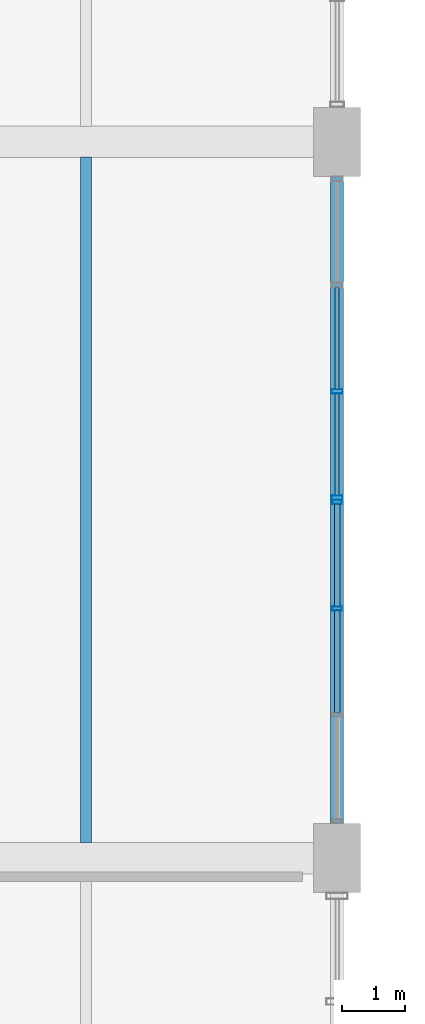
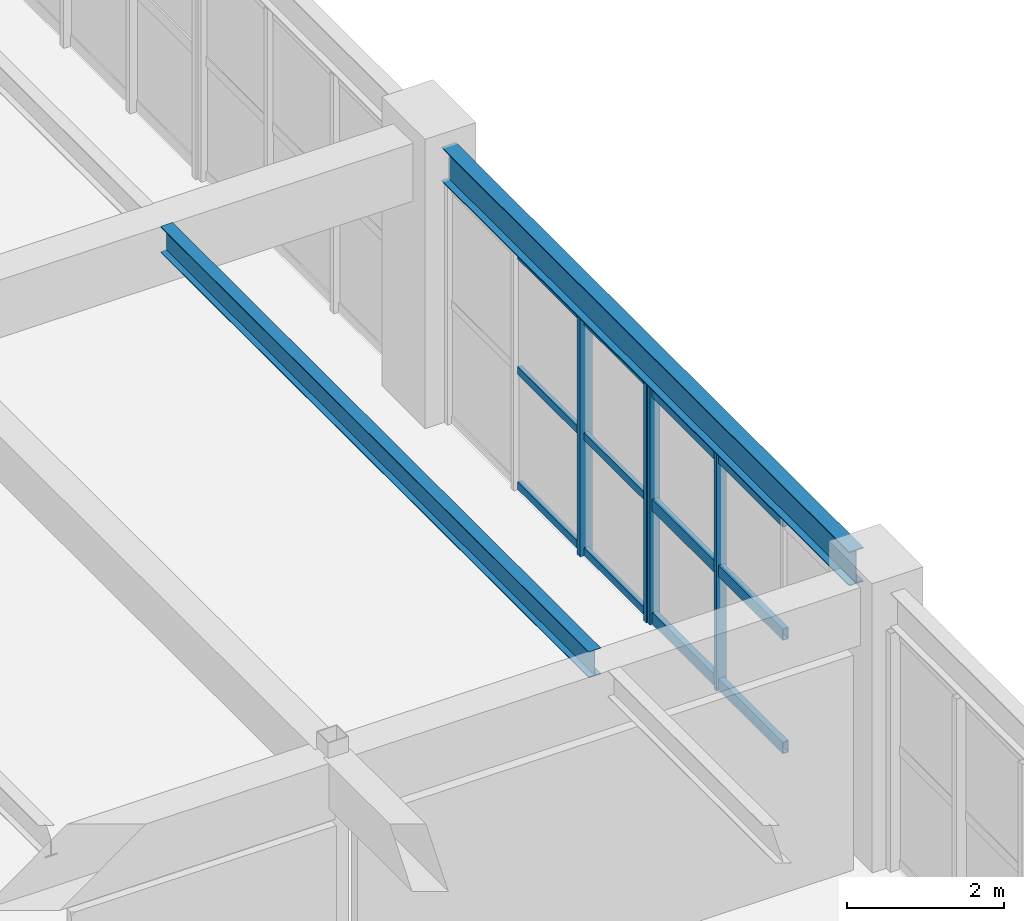
# One storey, part 12 of 80: 16 members, 2 beams, 2 elements without a shape of their own.
"""IFC4 building model written with IfcOpenShell, lengths in metres."""

from ifc_helpers import new_model, si_unit, direction, frame, origin, origin_2d, place, context, subcontext, project, spatial, hollow_rectangle, i_section, extrude, material, layer, layer_set, material_profile, profile_set, type_object, element, aggregate, save


model = new_model("IFC4")

# Units and contexts
model_context = context("Model", 3, precision=1e-05, world=origin(), true_north=direction((0.0, 1.0)))
body_context = subcontext(model_context, "Body", "Model", "MODEL_VIEW")
ifc_project = project(units=[si_unit("LENGTHUNIT", "METRE"), si_unit("AREAUNIT", "SQUARE_METRE"), si_unit("VOLUMEUNIT", "CUBIC_METRE"), si_unit("PLANEANGLEUNIT", "RADIAN"), si_unit("MASSUNIT", "GRAM", prefix="KILO"), si_unit("POWERUNIT", "WATT"), si_unit("THERMODYNAMICTEMPERATUREUNIT", "KELVIN")], contexts=[model_context])

# Site, building, storey
site_placement = place(None, origin())
site = spatial("IfcSite", under=ifc_project, at=site_placement, CompositionType="ELEMENT")
building_placement = place(site_placement, origin())
building = spatial("IfcBuilding", under=site, at=building_placement, Name="Kelmbourne Parkland Aquatics Centre", CompositionType="ELEMENT")
storey_placement = place(building_placement, frame((0.0, 0.0, 10.199951171875)))
storey = spatial("IfcBuildingStorey", under=building, at=storey_placement, Name="L02", CompositionType="ELEMENT", Elevation=10.199951171875)

# Beams
ifc_material_1 = material(Name="Structural steel AS/NZS 3679.1 Grade 300", Category="steel")
ifc_material_profile_1 = material_profile(ifc_material_1, i_section(OverallWidth=0.177978515625, OverallDepth=0.406005859375, WebThickness=0.0078125, FlangeThickness=0.0126953125, at=origin_2d()), Name="410UB59.7")
ifc_profile_set_1 = profile_set([ifc_material_profile_1], Name="Structural steel AS/NZS 3679.1 Grade 300")
beam_type_1 = type_object("IfcBeamType", Name="BM-J01", PredefinedType="JOIST", material=ifc_profile_set_1)
beam_1_placement = place(storey_placement, frame((36.0, 23.842041015625, 4.05712890625), z_axis=(0.0, 1.0, 0.0), x_axis=(-1.0, 0.0, 0.0)))
element("IfcBeam", 1, at=beam_1_placement, inside=storey, type_object=beam_type_1, Name="Secondary floor joist E-F/04-05 #1 (L03)", PredefinedType="JOIST", context=body_context, shape_type="SweptSolid", body=[
    extrude(i_section(OverallWidth=0.177978515625, OverallDepth=0.406005859375, WebThickness=0.0078125, FlangeThickness=0.0126953125, at=origin_2d()), origin(), (0.0, 0.0, 1.0), 10.916015625),
])
ifc_material_profile_2 = material_profile(ifc_material_1, i_section(OverallWidth=0.208984375, OverallDepth=0.532958984375, WebThickness=0.01025390625, FlangeThickness=0.015625, at=origin_2d()), Name="530UB92.4")
ifc_profile_set_2 = profile_set([ifc_material_profile_2], Name="Structural steel AS/NZS 3679.1 Grade 300")
beam_type_2 = type_object("IfcBeamType", Name="BM-SP02", PredefinedType="SPANDREL", material=ifc_profile_set_2)
beam_2_placement = place(storey_placement, frame((40.0, 24.10498046875, 3.99365234375), z_axis=(0.0, 1.0, 0.0), x_axis=(-1.0, 0.0, 0.0)))
element("IfcBeam", 2, at=beam_2_placement, inside=storey, type_object=beam_type_2, Name="Perimeter spandrel 04-05 Grid F (L03)", PredefinedType="SPANDREL", context=body_context, shape_type="SweptSolid", body=[
    extrude(i_section(OverallWidth=0.208984375, OverallDepth=0.532958984375, WebThickness=0.01025390625, FlangeThickness=0.015625, at=origin_2d()), origin(), (0.0, 0.0, 1.0), 10.39013671875),
])

# Curtain wall, members
ifc_material_2 = material(Name="Thermally broken anodised aluminium framing", Category="aluminium")
ifc_layer_1 = layer(ifc_material_2, 0.179931640625)
ifc_layer_set_1 = layer_set([ifc_layer_1], Name="Thermally broken anodised aluminium framing")
curtain_wall_type_1 = type_object("IfcCurtainWallType", Name="CW-05", PredefinedType="NOTDEFINED", material=ifc_layer_set_1)
curtain_wall_1_placement = place(storey_placement, origin())
curtain_wall_1 = element("IfcCurtainWall", 3, at=curtain_wall_1_placement, inside=storey, type_object=curtain_wall_type_1, Name="Facade curtain wall CW-L02-245", PredefinedType="NOTDEFINED")
ifc_material_profile_3 = material_profile(ifc_material_2, hollow_rectangle(XDim=0.06494140625, YDim=0.14990234375, WallThickness=0.00390625, at=origin_2d()), Name="CW-M 65x150")
ifc_profile_set_3 = profile_set([ifc_material_profile_3], Name="Thermally broken anodised aluminium framing")
member_type_1 = type_object("IfcMemberType", Name="MB-MUL-1", PredefinedType="MULLION", material=ifc_profile_set_3)
member_1_placement = place(storey_placement, frame((40.0, 27.5732421875, 0.0), z_axis=(0.0, 0.0, 1.0), x_axis=(0.0, 1.0, 0.0)))
member_1 = element("IfcMember", 4, at=member_1_placement, type_object=member_type_1, Name="CW-L02-245 mullion 2", PredefinedType="MULLION", context=body_context, shape_type="SweptSolid", body=[
    extrude(hollow_rectangle(XDim=0.06494140625, YDim=0.14990234375, WallThickness=0.00390625, at=origin_2d()), origin(), (0.0, 0.0, 1.0), 3.712158203125),
])
member_2_placement = place(storey_placement, frame((40.0, 29.267578125, 0.0), z_axis=(0.0, 0.0, 1.0), x_axis=(0.0, 1.0, 0.0)))
member_2 = element("IfcMember", 5, at=member_2_placement, type_object=member_type_1, Name="CW-L02-245 mullion 3", PredefinedType="MULLION", context=body_context, shape_type="SweptSolid", body=[
    extrude(hollow_rectangle(XDim=0.06494140625, YDim=0.14990234375, WallThickness=0.00390625, at=origin_2d()), origin(), (0.0, 0.0, 1.0), 3.712158203125),
])

ifc_layer_2 = layer(ifc_material_2, 0.179931640625)
ifc_layer_set_2 = layer_set([ifc_layer_2], Name="Thermally broken anodised aluminium framing")
curtain_wall_type_2 = type_object("IfcCurtainWallType", Name="CW-06", PredefinedType="NOTDEFINED", material=ifc_layer_set_2)
curtain_wall_2_placement = place(storey_placement, origin())
curtain_wall_2 = element("IfcCurtainWall", 6, at=curtain_wall_2_placement, inside=storey, type_object=curtain_wall_type_2, Name="Facade curtain wall CW-L02-246", PredefinedType="NOTDEFINED")
ifc_material_profile_4 = material_profile(ifc_material_2, hollow_rectangle(XDim=0.074951171875, YDim=0.179931640625, WallThickness=0.00439453125, at=origin_2d()), Name="CW-M 75x180")
ifc_profile_set_4 = profile_set([ifc_material_profile_4], Name="Thermally broken anodised aluminium framing")
member_type_2 = type_object("IfcMemberType", Name="MB-MUL-2", PredefinedType="MULLION", material=ifc_profile_set_4)
member_3_placement = place(storey_placement, frame((40.0, 29.33740234375, 0.0), z_axis=(0.0, 0.0, 1.0), x_axis=(0.0, 1.0, 0.0)))
member_3 = element("IfcMember", 7, at=member_3_placement, type_object=member_type_2, Name="CW-L02-246 mullion 0", PredefinedType="MULLION", context=body_context, shape_type="SweptSolid", body=[
    extrude(hollow_rectangle(XDim=0.074951171875, YDim=0.179931640625, WallThickness=0.00439453125, at=origin_2d()), origin(), (0.0, 0.0, 1.0), 3.712158203125),
])
member_4_placement = place(storey_placement, frame((40.0, 31.028564453125, 0.0), z_axis=(0.0, 0.0, 1.0), x_axis=(0.0, 1.0, 0.0)))
member_4 = element("IfcMember", 8, at=member_4_placement, type_object=member_type_2, Name="CW-L02-246 mullion 1", PredefinedType="MULLION", context=body_context, shape_type="SweptSolid", body=[
    extrude(hollow_rectangle(XDim=0.074951171875, YDim=0.179931640625, WallThickness=0.00439453125, at=origin_2d()), origin(), (0.0, 0.0, 1.0), 3.712158203125),
])
ifc_material_profile_5 = material_profile(ifc_material_2, hollow_rectangle(XDim=0.06494140625, YDim=0.1201171875, WallThickness=0.00341796875, at=origin_2d()), Name="CW-T 65x120")
ifc_profile_set_5 = profile_set([ifc_material_profile_5], Name="Thermally broken anodised aluminium framing")
member_type_3 = type_object("IfcMemberType", Name="MB-TRN-1", PredefinedType="USERDEFINED", material=ifc_profile_set_5)
member_5_placement = place(storey_placement, frame((40.0, 29.37109375, 0.06298828125), z_axis=(0.0, 1.0, 0.0), x_axis=(-1.0, 0.0, 0.0)))
member_5 = element("IfcMember", 9, at=member_5_placement, type_object=member_type_3, Name="CW-L02-246 transom 0-0", ObjectType="TRANSOM", PredefinedType="USERDEFINED", context=body_context, shape_type="SweptSolid", body=[
    extrude(hollow_rectangle(XDim=0.06494140625, YDim=0.1201171875, WallThickness=0.00341796875, at=origin_2d()), origin(), (0.0, 0.0, 1.0), 1.6240234375),
])
member_6_placement = place(storey_placement, frame((40.0, 31.06201171875, 0.06298828125), z_axis=(0.0, 1.0, 0.0), x_axis=(-1.0, 0.0, 0.0)))
member_6 = element("IfcMember", 10, at=member_6_placement, type_object=member_type_3, Name="CW-L02-246 transom 0-1", ObjectType="TRANSOM", PredefinedType="USERDEFINED", context=body_context, shape_type="SweptSolid", body=[
    extrude(hollow_rectangle(XDim=0.06494140625, YDim=0.1201171875, WallThickness=0.00341796875, at=origin_2d()), origin(), (0.0, 0.0, 1.0), 1.6240234375),
])
member_7_placement = place(storey_placement, frame((40.0, 29.37109375, 1.85595703125), z_axis=(0.0, 1.0, 0.0), x_axis=(-1.0, 0.0, 0.0)))
member_7 = element("IfcMember", 11, at=member_7_placement, type_object=member_type_3, Name="CW-L02-246 transom 1-0", ObjectType="TRANSOM", PredefinedType="USERDEFINED", context=body_context, shape_type="SweptSolid", body=[
    extrude(hollow_rectangle(XDim=0.06494140625, YDim=0.1201171875, WallThickness=0.00341796875, at=origin_2d()), origin(), (0.0, 0.0, 1.0), 1.6240234375),
])
member_8_placement = place(storey_placement, frame((40.0, 31.06201171875, 1.85595703125), z_axis=(0.0, 1.0, 0.0), x_axis=(-1.0, 0.0, 0.0)))
member_8 = element("IfcMember", 12, at=member_8_placement, type_object=member_type_3, Name="CW-L02-246 transom 1-1", ObjectType="TRANSOM", PredefinedType="USERDEFINED", context=body_context, shape_type="SweptSolid", body=[
    extrude(hollow_rectangle(XDim=0.06494140625, YDim=0.1201171875, WallThickness=0.00341796875, at=origin_2d()), origin(), (0.0, 0.0, 1.0), 1.6240234375),
])
member_9_placement = place(storey_placement, frame((40.0, 29.37109375, 3.649169921875), z_axis=(0.0, 1.0, 0.0), x_axis=(-1.0, 0.0, 0.0)))
member_9 = element("IfcMember", 13, at=member_9_placement, type_object=member_type_3, Name="CW-L02-246 transom 2-0", ObjectType="TRANSOM", PredefinedType="USERDEFINED", context=body_context, shape_type="SweptSolid", body=[
    extrude(hollow_rectangle(XDim=0.06494140625, YDim=0.1201171875, WallThickness=0.00341796875, at=origin_2d()), origin(), (0.0, 0.0, 1.0), 1.6240234375),
])
member_10_placement = place(storey_placement, frame((40.0, 31.06201171875, 3.649169921875), z_axis=(0.0, 1.0, 0.0), x_axis=(-1.0, 0.0, 0.0)))
member_10 = element("IfcMember", 14, at=member_10_placement, type_object=member_type_3, Name="CW-L02-246 transom 2-1", ObjectType="TRANSOM", PredefinedType="USERDEFINED", context=body_context, shape_type="SweptSolid", body=[
    extrude(hollow_rectangle(XDim=0.06494140625, YDim=0.1201171875, WallThickness=0.00341796875, at=origin_2d()), origin(), (0.0, 0.0, 1.0), 1.6240234375),
])
aggregate(curtain_wall_2, [member_3, member_4, member_5, member_6, member_7, member_8, member_9, member_10])

# Member
ifc_material_profile_6 = material_profile(ifc_material_2, hollow_rectangle(XDim=0.0849609375, YDim=0.179931640625, WallThickness=0.00439453125, at=origin_2d()), Name="CW-T 85x180")
ifc_profile_set_6 = profile_set([ifc_material_profile_6], Name="Thermally broken anodised aluminium framing")
member_type_4 = type_object("IfcMemberType", Name="MB-TRN-3", PredefinedType="USERDEFINED", material=ifc_profile_set_6)
member_11_placement = place(storey_placement, frame((40.0, 25.9072265625, 0.093017578125), z_axis=(0.0, 1.0, 0.0), x_axis=(-1.0, 0.0, 0.0)))
member_11 = element("IfcMember", 15, at=member_11_placement, type_object=member_type_4, Name="CW-L02-245 transom 0-1", ObjectType="TRANSOM", PredefinedType="USERDEFINED", context=body_context, shape_type="SweptSolid", body=[
    extrude(hollow_rectangle(XDim=0.0849609375, YDim=0.179931640625, WallThickness=0.00439453125, at=origin_2d()), origin(), (0.0, 0.0, 1.0), 1.637451171875),
])

member_12_placement = place(storey_placement, frame((40.0, 27.601806640625, 0.093017578125), z_axis=(0.0, 1.0, 0.0), x_axis=(-1.0, 0.0, 0.0)))
member_12 = element("IfcMember", 16, at=member_12_placement, type_object=member_type_4, Name="CW-L02-245 transom 0-2", ObjectType="TRANSOM", PredefinedType="USERDEFINED", context=body_context, shape_type="SweptSolid", body=[
    extrude(hollow_rectangle(XDim=0.0849609375, YDim=0.179931640625, WallThickness=0.00439453125, at=origin_2d()), origin(), (0.0, 0.0, 1.0), 1.63720703125),
])

member_13_placement = place(storey_placement, frame((40.0, 25.9072265625, 1.85595703125), z_axis=(0.0, 1.0, 0.0), x_axis=(-1.0, 0.0, 0.0)))
member_13 = element("IfcMember", 17, at=member_13_placement, type_object=member_type_4, Name="CW-L02-245 transom 1-1", ObjectType="TRANSOM", PredefinedType="USERDEFINED", context=body_context, shape_type="SweptSolid", body=[
    extrude(hollow_rectangle(XDim=0.0849609375, YDim=0.179931640625, WallThickness=0.00439453125, at=origin_2d()), origin(), (0.0, 0.0, 1.0), 1.637451171875),
])

member_14_placement = place(storey_placement, frame((40.0, 27.601806640625, 1.85595703125), z_axis=(0.0, 1.0, 0.0), x_axis=(-1.0, 0.0, 0.0)))
member_14 = element("IfcMember", 18, at=member_14_placement, type_object=member_type_4, Name="CW-L02-245 transom 1-2", ObjectType="TRANSOM", PredefinedType="USERDEFINED", context=body_context, shape_type="SweptSolid", body=[
    extrude(hollow_rectangle(XDim=0.0849609375, YDim=0.179931640625, WallThickness=0.00439453125, at=origin_2d()), origin(), (0.0, 0.0, 1.0), 1.63720703125),
])

member_15_placement = place(storey_placement, frame((40.0, 25.9072265625, 3.619140625), z_axis=(0.0, 1.0, 0.0), x_axis=(-1.0, 0.0, 0.0)))
member_15 = element("IfcMember", 19, at=member_15_placement, type_object=member_type_4, Name="CW-L02-245 transom 2-1", ObjectType="TRANSOM", PredefinedType="USERDEFINED", context=body_context, shape_type="SweptSolid", body=[
    extrude(hollow_rectangle(XDim=0.0849609375, YDim=0.179931640625, WallThickness=0.00439453125, at=origin_2d()), origin(), (0.0, 0.0, 1.0), 1.637451171875),
])

member_16_placement = place(storey_placement, frame((40.0, 27.601806640625, 3.619140625), z_axis=(0.0, 1.0, 0.0), x_axis=(-1.0, 0.0, 0.0)))
member_16 = element("IfcMember", 20, at=member_16_placement, type_object=member_type_4, Name="CW-L02-245 transom 2-2", ObjectType="TRANSOM", PredefinedType="USERDEFINED", context=body_context, shape_type="SweptSolid", body=[
    extrude(hollow_rectangle(XDim=0.0849609375, YDim=0.179931640625, WallThickness=0.00439453125, at=origin_2d()), origin(), (0.0, 0.0, 1.0), 1.63720703125),
])

aggregate(curtain_wall_1, [member_1, member_2, member_11, member_12, member_13, member_14, member_15, member_16])

save(model, "model.ifc")
